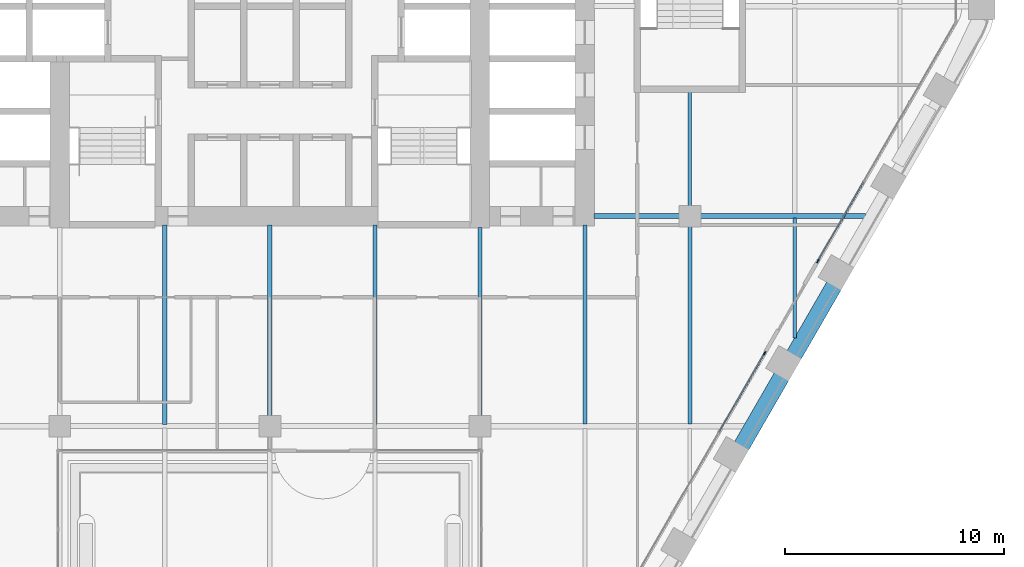
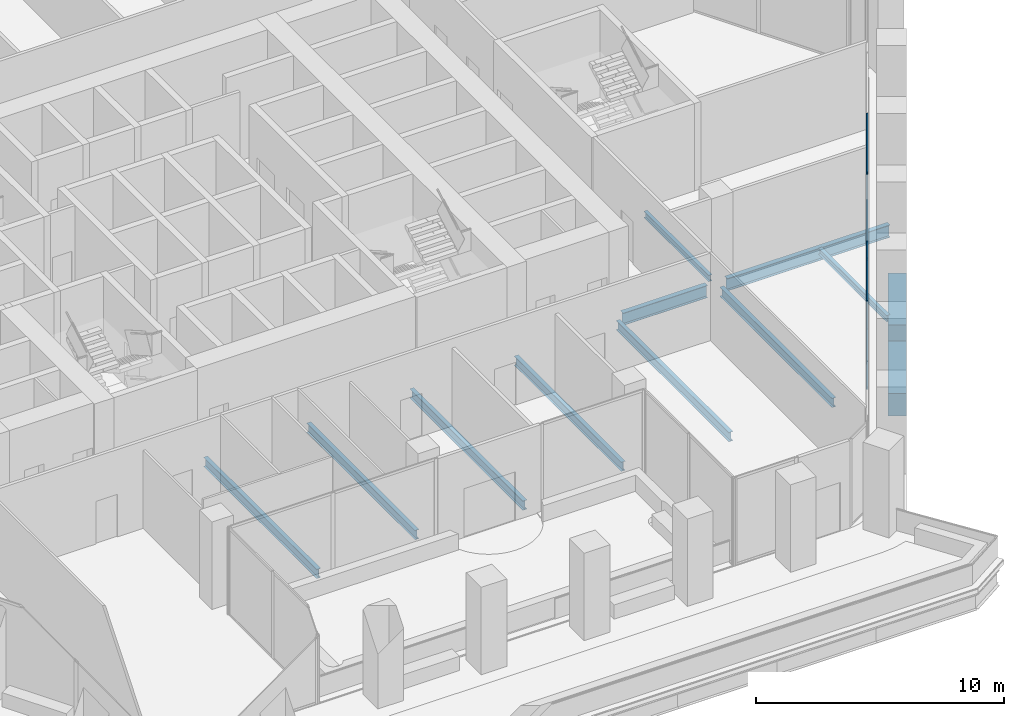
# One storey, part 5 of 27: 12 beams, 6 members, 2 elements without a shape of their own.
"""IFC4 building model written with IfcOpenShell, lengths in metres."""

from ifc_helpers import new_model, si_unit, direction, frame, origin, origin_2d, place, context, subcontext, project, spatial, rectangle, i_section, extrude, material, material_profile, profile_set, type_object, element, aggregate, save


model = new_model("IFC4")

# Units and contexts
model_context = context("Model", 3, precision=1e-05, world=origin(), true_north=direction((0.0, 1.0)))
body_context = subcontext(model_context, "Body", "Model", "MODEL_VIEW")
ifc_project = project(units=[si_unit("LENGTHUNIT", "METRE"), si_unit("AREAUNIT", "SQUARE_METRE"), si_unit("VOLUMEUNIT", "CUBIC_METRE"), si_unit("PLANEANGLEUNIT", "RADIAN"), si_unit("MASSUNIT", "GRAM", prefix="KILO")], contexts=[model_context])

# Site, building, storey
site_placement = place(None, origin())
site = spatial("IfcSite", under=ifc_project, at=site_placement, CompositionType="ELEMENT")
building_placement = place(site_placement, origin())
building = spatial("IfcBuilding", under=site, at=building_placement, Name="Kolab Exchange Tower", CompositionType="ELEMENT")
storey_placement = place(building_placement, frame((0.0, 0.0, 109.39990234375)))
storey = spatial("IfcBuildingStorey", under=building, at=storey_placement, Name="L21", CompositionType="ELEMENT", Elevation=109.39990234375)

# Beams
ifc_material_1 = material(Name="Steel S355", Category="steel")
ifc_material_profile_1 = material_profile(ifc_material_1, i_section(OverallWidth=0.1650390625, OverallDepth=0.31005859375, WebThickness=0.005859375, FlangeThickness=0.009765625, at=origin_2d()), Name="W310X39")
ifc_profile_set_1 = profile_set([ifc_material_profile_1], Name="Steel S355")
beam_type_1 = type_object("IfcBeamType", Name="FLOOR BEAM W310X39", PredefinedType="BEAM", material=ifc_profile_set_1)
beam_1_placement = place(storey_placement, frame((19.199951171875, -9.139892578125, -0.35498046875), z_axis=(0.0, 1.0, 0.0), x_axis=(-1.0, 0.0, 0.0)))
element("IfcBeam", 1, at=beam_1_placement, inside=storey, type_object=beam_type_1, Name="beam/L21/fr/042", PredefinedType="BEAM", context=body_context, shape_type="SweptSolid", body=[
    extrude(i_section(OverallWidth=0.1650390625, OverallDepth=0.31005859375, WebThickness=0.005859375, FlangeThickness=0.009765625, at=origin_2d()), origin(), (0.0, 0.0, 1.0), 5.22998046875),
])
beam_2_placement = place(storey_placement, frame((24.0, -15.167724609375, -0.35498046875), z_axis=(0.0, 1.0, 0.0), x_axis=(-1.0, 0.0, 0.0)))
element("IfcBeam", 2, at=beam_2_placement, inside=storey, type_object=beam_type_1, Name="beam/L21/fr/046", PredefinedType="BEAM", context=body_context, shape_type="SweptSolid", body=[
    extrude(i_section(OverallWidth=0.1650390625, OverallDepth=0.31005859375, WebThickness=0.005859375, FlangeThickness=0.009765625, at=origin_2d()), origin(), (0.0, 0.0, 1.0), 5.49365234375),
])
ifc_material_profile_2 = material_profile(ifc_material_1, i_section(OverallWidth=0.18994140625, OverallDepth=0.45703125, WebThickness=0.009033203125, FlangeThickness=0.014404296875, at=origin_2d()), Name="W460X74")
ifc_profile_set_2 = profile_set([ifc_material_profile_2], Name="Steel S355")
beam_type_2 = type_object("IfcBeamType", Name="FLOOR BEAM W460X74", PredefinedType="BEAM", material=ifc_profile_set_2)
beam_3_placement = place(storey_placement, frame((-4.800048828125, -19.1259765625, -0.428466796875), z_axis=(0.0, 1.0, 0.0), x_axis=(-1.0, 0.0, 0.0)))
element("IfcBeam", 3, at=beam_3_placement, inside=storey, type_object=beam_type_2, Name="beam/L21/fr/021", PredefinedType="BEAM", context=body_context, shape_type="SweptSolid", body=[
    extrude(i_section(OverallWidth=0.18994140625, OverallDepth=0.45703125, WebThickness=0.009033203125, FlangeThickness=0.014404296875, at=origin_2d()), origin(), (0.0, 0.0, 1.0), 9.115966796875),
])
beam_4_placement = place(storey_placement, frame((0.0, -18.739990234375, -0.428466796875), z_axis=(0.0, 1.0, 0.0), x_axis=(-1.0, 0.0, 0.0)))
element("IfcBeam", 4, at=beam_4_placement, inside=storey, type_object=beam_type_2, Name="beam/L21/fr/025", PredefinedType="BEAM", context=body_context, shape_type="SweptSolid", body=[
    extrude(i_section(OverallWidth=0.18994140625, OverallDepth=0.45703125, WebThickness=0.009033203125, FlangeThickness=0.014404296875, at=origin_2d()), origin(), (0.0, 0.0, 1.0), 8.72998046875),
])
beam_5_placement = place(storey_placement, frame((4.800048828125, -19.1259765625, -0.428466796875), z_axis=(0.0, 1.0, 0.0), x_axis=(-1.0, 0.0, 0.0)))
element("IfcBeam", 5, at=beam_5_placement, inside=storey, type_object=beam_type_2, Name="beam/L21/fr/029", PredefinedType="BEAM", context=body_context, shape_type="SweptSolid", body=[
    extrude(i_section(OverallWidth=0.18994140625, OverallDepth=0.45703125, WebThickness=0.009033203125, FlangeThickness=0.014404296875, at=origin_2d()), origin(), (0.0, 0.0, 1.0), 9.115966796875),
])
beam_6_placement = place(storey_placement, frame((9.60009765625, -18.739990234375, -0.428466796875), z_axis=(0.0, 1.0, 0.0), x_axis=(-1.0, 0.0, 0.0)))
element("IfcBeam", 6, at=beam_6_placement, inside=storey, type_object=beam_type_2, Name="beam/L21/fr/033", PredefinedType="BEAM", context=body_context, shape_type="SweptSolid", body=[
    extrude(i_section(OverallWidth=0.18994140625, OverallDepth=0.45703125, WebThickness=0.009033203125, FlangeThickness=0.014404296875, at=origin_2d()), origin(), (0.0, 0.0, 1.0), 8.6298828125),
])
beam_7_placement = place(storey_placement, frame((14.39990234375, -19.1064453125, -0.428466796875), z_axis=(0.0, 1.0, 0.0), x_axis=(-1.0, 0.0, 0.0)))
element("IfcBeam", 7, at=beam_7_placement, inside=storey, type_object=beam_type_2, Name="beam/L21/fr/037", PredefinedType="BEAM", context=body_context, shape_type="SweptSolid", body=[
    extrude(i_section(OverallWidth=0.18994140625, OverallDepth=0.45703125, WebThickness=0.009033203125, FlangeThickness=0.014404296875, at=origin_2d()), origin(), (0.0, 0.0, 1.0), 9.096435546875),
])
beam_8_placement = place(storey_placement, frame((19.199951171875, -19.1064453125, -0.428466796875), z_axis=(0.0, 1.0, 0.0), x_axis=(-1.0, 0.0, 0.0)))
element("IfcBeam", 8, at=beam_8_placement, inside=storey, type_object=beam_type_2, Name="beam/L21/fr/041", PredefinedType="BEAM", context=body_context, shape_type="SweptSolid", body=[
    extrude(i_section(OverallWidth=0.18994140625, OverallDepth=0.45703125, WebThickness=0.009033203125, FlangeThickness=0.014404296875, at=origin_2d()), origin(), (0.0, 0.0, 1.0), 9.04638671875),
])
ifc_material_profile_3 = material_profile(ifc_material_1, i_section(OverallWidth=0.22802734375, OverallDepth=0.60791015625, WebThickness=0.01123046875, FlangeThickness=0.017333984375, at=origin_2d()), Name="W610X113")
ifc_profile_set_3 = profile_set([ifc_material_profile_3], Name="Steel S355")
beam_type_3 = type_object("IfcBeamType", Name="FLOOR GIRDER W610X113", PredefinedType="BEAM", material=ifc_profile_set_3)
beam_9_placement = place(storey_placement, frame((14.81005859375, -9.60009765625, -0.50390625), z_axis=(1.0, 0.0, 0.0), x_axis=(0.0, 1.0, 0.0)))
element("IfcBeam", 9, at=beam_9_placement, inside=storey, type_object=beam_type_3, Name="beam/L21/gd/014", PredefinedType="BEAM", context=body_context, shape_type="SweptSolid", body=[
    extrude(i_section(OverallWidth=0.22802734375, OverallDepth=0.60791015625, WebThickness=0.01123046875, FlangeThickness=0.017333984375, at=origin_2d()), origin(), (0.0, 0.0, 1.0), 3.929931640625),
])
beam_10_placement = place(storey_placement, frame((19.659912109375, -9.60009765625, -0.50390625), z_axis=(1.0, 0.0, 0.0), x_axis=(0.0, 1.0, 0.0)))
element("IfcBeam", 10, at=beam_10_placement, inside=storey, type_object=beam_type_3, Name="beam/L21/gd/017", PredefinedType="BEAM", context=body_context, shape_type="SweptSolid", body=[
    extrude(i_section(OverallWidth=0.22802734375, OverallDepth=0.60791015625, WebThickness=0.01123046875, FlangeThickness=0.017333984375, at=origin_2d()), origin(), (0.0, 0.0, 1.0), 7.571533203125),
])
ifc_material_2 = material(Name="Concrete C70/85", Category="concrete")
ifc_material_profile_4 = material_profile(ifc_material_2, rectangle(XDim=0.75, YDim=1.10009765625, at=origin_2d()), Name="RC750X1100")
ifc_profile_set_4 = profile_set([ifc_material_profile_4], Name="Concrete C70/85")
beam_type_4 = type_object("IfcBeamType", Name="SPANDREL BEAM 750X1100 C70/85", PredefinedType="BEAM", material=ifc_profile_set_4)
beam_11_placement = place(storey_placement, frame((25.795166015625, -12.768310546875, -0.75), z_axis=(-0.499963655964, -0.866046386007, 0.0), x_axis=(0.866046386007, -0.499963655964, 0.0)))
element("IfcBeam", 11, at=beam_11_placement, inside=storey, type_object=beam_type_4, Name="beam/L21/sp/F3-04", PredefinedType="BEAM", context=body_context, shape_type="SweptSolid", body=[
    extrude(rectangle(XDim=0.75, YDim=1.10009765625, at=origin_2d()), origin(), (0.0, 0.0, 1.0), 3.679931640625),
])
beam_12_placement = place(storey_placement, frame((23.395263671875, -16.925048828125, -0.75), z_axis=(-0.500013413428, -0.866017659399, 0.0), x_axis=(0.866017659399, -0.500013413428, 0.0)))
element("IfcBeam", 12, at=beam_12_placement, inside=storey, type_object=beam_type_4, Name="beam/L21/sp/F3-05", PredefinedType="BEAM", context=body_context, shape_type="SweptSolid", body=[
    extrude(rectangle(XDim=0.75, YDim=1.10009765625, at=origin_2d()), origin(), (0.0, 0.0, 1.0), 3.68017578125),
])

# Curtain wall, member
ifc_material_3 = material(Name="Aluminium EN AW-6063 T6", Category="aluminium")
curtain_wall_type = type_object("IfcCurtainWallType", Name="UNITISED LOWER MID ZONE CURTAIN WALL", PredefinedType="NOTDEFINED", material=ifc_material_3)
curtain_wall_1_placement = place(storey_placement, origin())
curtain_wall_1 = element("IfcCurtainWall", 13, at=curtain_wall_1_placement, inside=storey, type_object=curtain_wall_type, Name="cw/L21/F3-1", PredefinedType="NOTDEFINED")
ifc_material_profile_5 = material_profile(ifc_material_3, rectangle(XDim=0.06005859375, YDim=0.179931640625, at=origin_2d()), Name="RECT 60X180")
ifc_profile_set_5 = profile_set([ifc_material_profile_5], Name="Aluminium EN AW-6063 T6")
member_type_1 = type_object("IfcMemberType", Name="UNITISED LOWER MID ZONE MULLION 60 X 180", PredefinedType="MULLION", material=ifc_profile_set_5)
member_1_placement = place(storey_placement, frame((25.046630859375, -11.65478515625, 0.0), z_axis=(0.0, 0.0, 1.0), x_axis=(0.866025427826, -0.499999958358, 0.0)))
member_1 = element("IfcMember", 14, at=member_1_placement, type_object=member_type_1, Name="CW2 mullion 4", PredefinedType="MULLION", context=body_context, shape_type="SweptSolid", body=[
    extrude(rectangle(XDim=0.06005859375, YDim=0.179931640625, at=origin_2d()), origin(), (0.0, 0.0, 1.0), 4.300048828125),
])

curtain_wall_2_placement = place(storey_placement, origin())
curtain_wall_2 = element("IfcCurtainWall", 15, at=curtain_wall_2_placement, inside=storey, type_object=curtain_wall_type, Name="cw/L21/F3-2", PredefinedType="NOTDEFINED")
member_2_placement = place(storey_placement, frame((22.61669921875, -15.86376953125, 0.0), z_axis=(0.0, 0.0, 1.0), x_axis=(0.866025393644, -0.500000017564, 0.0)))
member_2 = element("IfcMember", 16, at=member_2_placement, type_object=member_type_1, Name="CW2 mullion 1", PredefinedType="MULLION", context=body_context, shape_type="SweptSolid", body=[
    extrude(rectangle(XDim=0.06005859375, YDim=0.179931640625, at=origin_2d()), origin(), (0.0, 0.0, 1.0), 4.300048828125),
])

# Member
ifc_material_profile_6 = material_profile(ifc_material_3, rectangle(XDim=0.06005859375, YDim=0.1201171875, at=origin_2d()), Name="RECT 60X120")
ifc_profile_set_6 = profile_set([ifc_material_profile_6], Name="Aluminium EN AW-6063 T6")
member_type_2 = type_object("IfcMemberType", Name="UNITISED LOWER MID ZONE TRANSOM 60 X 120", PredefinedType="USERDEFINED", material=ifc_profile_set_6)
member_3_placement = place(storey_placement, frame((27.1279296875, -8.0498046875, 0.030029296875), z_axis=(-0.499957688808, -0.866049830784, 0.0), x_axis=(0.866049830784, -0.499957688808, 0.0)))
member_3 = element("IfcMember", 17, at=member_3_placement, type_object=member_type_2, Name="CW2 transom 3.1", ObjectType="TRANSOM", PredefinedType="USERDEFINED", context=body_context, shape_type="SweptSolid", body=[
    extrude(rectangle(XDim=0.06005859375, YDim=0.1201171875, at=origin_2d()), origin(), (0.0, 0.0, 1.0), 4.132568359375),
])

member_4_placement = place(storey_placement, frame((27.1279296875, -8.0498046875, 4.27001953125), z_axis=(-0.499957688808, -0.866049830784, 0.0), x_axis=(0.866049830784, -0.499957688808, 0.0)))
member_4 = element("IfcMember", 18, at=member_4_placement, type_object=member_type_2, Name="CW2 transom 3.2", ObjectType="TRANSOM", PredefinedType="USERDEFINED", context=body_context, shape_type="SweptSolid", body=[
    extrude(rectangle(XDim=0.06005859375, YDim=0.1201171875, at=origin_2d()), origin(), (0.0, 0.0, 1.0), 4.132568359375),
])

aggregate(curtain_wall_1, [member_1, member_3, member_4])

member_5_placement = place(storey_placement, frame((22.6015625, -15.8896484375, 0.030029296875), z_axis=(-0.499957688808, -0.866049830784, 0.0), x_axis=(0.866049830784, -0.499957688808, 0.0)))
member_5 = element("IfcMember", 19, at=member_5_placement, type_object=member_type_2, Name="CW2 transom 1.1", ObjectType="TRANSOM", PredefinedType="USERDEFINED", context=body_context, shape_type="SweptSolid", body=[
    extrude(rectangle(XDim=0.06005859375, YDim=0.1201171875, at=origin_2d()), origin(), (0.0, 0.0, 1.0), 4.132568359375),
])

member_6_placement = place(storey_placement, frame((22.6015625, -15.8896484375, 4.27001953125), z_axis=(-0.499957688808, -0.866049830784, 0.0), x_axis=(0.866049830784, -0.499957688808, 0.0)))
member_6 = element("IfcMember", 20, at=member_6_placement, type_object=member_type_2, Name="CW2 transom 1.2", ObjectType="TRANSOM", PredefinedType="USERDEFINED", context=body_context, shape_type="SweptSolid", body=[
    extrude(rectangle(XDim=0.06005859375, YDim=0.1201171875, at=origin_2d()), origin(), (0.0, 0.0, 1.0), 4.132568359375),
])

aggregate(curtain_wall_2, [member_2, member_5, member_6])

save(model, "model.ifc")
